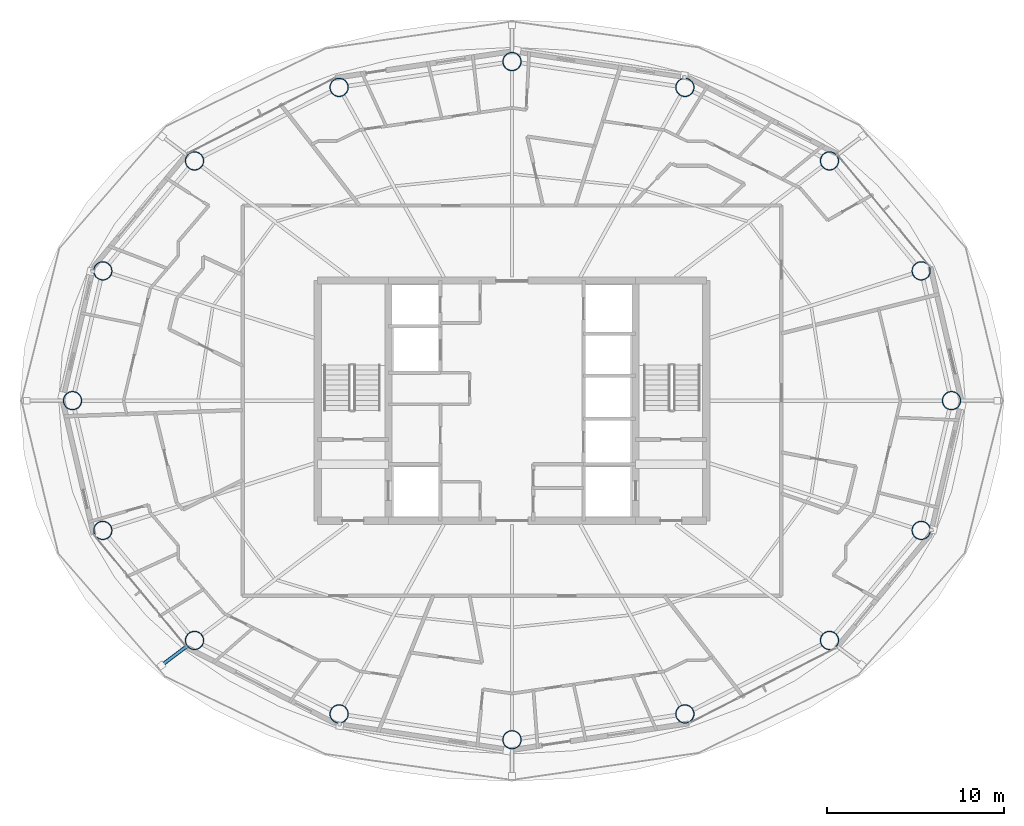
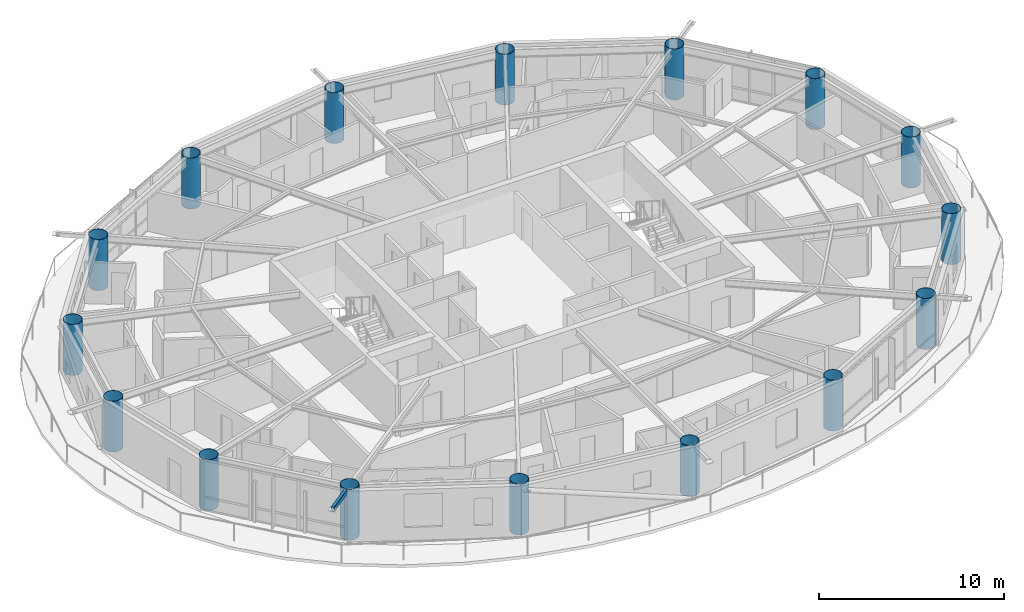
# One storey, part 1 of 23: 16 columns, 1 member.
"""IFC4 building model written with IfcOpenShell, lengths in metres."""

from ifc_helpers import new_model, si_unit, direction, frame, origin, origin_2d, place, context, subcontext, project, spatial, hollow_rectangle, hollow_circle, extrude, material, material_profile, profile_set, type_object, element, save


model = new_model("IFC4")

# Units and contexts
model_context = context("Model", 3, precision=1e-05, world=origin(), true_north=direction((0.0, 1.0)))
body_context = subcontext(model_context, "Body", "Model", "MODEL_VIEW")
ifc_project = project(units=[si_unit("LENGTHUNIT", "METRE"), si_unit("AREAUNIT", "SQUARE_METRE"), si_unit("VOLUMEUNIT", "CUBIC_METRE"), si_unit("PLANEANGLEUNIT", "RADIAN"), si_unit("MASSUNIT", "GRAM", prefix="KILO")], contexts=[model_context])

# Site, building, storey
site_placement = place(None, origin())
site = spatial("IfcSite", under=ifc_project, at=site_placement, CompositionType="ELEMENT")
building_placement = place(site_placement, origin())
building = spatial("IfcBuilding", under=site, at=building_placement, Name="Sarneth Arch Tower", CompositionType="ELEMENT")
storey_placement = place(building_placement, frame((0.0, 0.0, 238.800048828125)))
storey = spatial("IfcBuildingStorey", under=building, at=storey_placement, Name="L61", CompositionType="ELEMENT", Elevation=238.800048828125)

# Columns
ifc_material_1 = material(Name="Steel S355", Category="steel")
ifc_material_profile_1 = material_profile(ifc_material_1, hollow_circle(Radius=0.52490234375, WallThickness=0.028076171875, at=origin_2d()), Name="CHS1050x28")
ifc_profile_set_1 = profile_set([ifc_material_profile_1], Name="Steel S355")
column_type = type_object("IfcColumnType", Name="COL-MEGA-1050", PredefinedType="COLUMN", material=ifc_profile_set_1)
for number, where, z_axis, x_axis, name in (
    (1, (72.88330078125, 42.0, 0.0), (0.0, 0.0, 1.0), (1.0, 0.0, 0.0), "L61 Perimeter mega-column M01"),
    (2, (71.1689453125, 49.347412109375, 0.0), (0.0, 0.0, 1.0), (1.0, 0.0, 0.0), "L61 Perimeter mega-column M02"),
    (3, (65.975341796875, 55.576416015625, 0.0), (0.0, 0.0, 1.0), (1.0, 0.0, 0.0), "L61 Perimeter mega-column M03"),
    (4, (57.790771484375, 59.738525390625, 0.0), (0.0, 0.0, 1.0), (1.0, 0.0, 0.0), "L61 Perimeter mega-column M04"),
    (5, (48.0, 61.199951171875, 0.0), (0.0, 0.0, 1.0), (1.0, 0.0, 0.0), "L61 Perimeter mega-column M05"),
    (6, (38.209228515625, 59.738525390625, 0.0), (0.0, 0.0, 1.0), (1.0, 0.0, 0.0), "L61 Perimeter mega-column M06"),
    (7, (30.024658203125, 55.576416015625, 0.0), (0.0, 0.0, 1.0), (1.0, 0.0, 0.0), "L61 Perimeter mega-column M07"),
    (8, (24.8310546875, 49.347412109375, 0.0), (0.0, 0.0, 1.0), (1.0, 0.0, 0.0), "L61 Perimeter mega-column M08"),
    (9, (23.11669921875, 42.0, 0.0), (0.0, 0.0, 1.0), (1.0, 0.0, 0.0), "L61 Perimeter mega-column M09"),
    (10, (24.8310546875, 34.652587890625, 0.0), (0.0, 0.0, 1.0), (1.0, 0.0, 0.0), "L61 Perimeter mega-column M10"),
    (11, (30.024658203125, 28.423583984375, 0.0), (0.0, 0.0, 1.0), (1.0, 0.0, 0.0), "L61 Perimeter mega-column M11"),
    (12, (38.209228515625, 24.261474609375, 0.0), (0.0, 0.0, 1.0), (1.0, 0.0, 0.0), "L61 Perimeter mega-column M12"),
    (13, (48.0, 22.800048828125, 0.0), (0.0, 0.0, 1.0), (1.0, 0.0, 0.0), "L61 Perimeter mega-column M13"),
    (14, (57.790771484375, 24.261474609375, 0.0), (0.0, 0.0, 1.0), (1.0, 0.0, 0.0), "L61 Perimeter mega-column M14"),
    (15, (65.975341796875, 28.423583984375, 0.0), (0.0, 0.0, 1.0), (1.0, 0.0, 0.0), "L61 Perimeter mega-column M15"),
    (16, (71.1689453125, 34.652587890625, 0.0), (0.0, 0.0, 1.0), (1.0, 0.0, 0.0), "L61 Perimeter mega-column M16"),
):
    element("IfcColumn", number, at=place(storey_placement, frame(where, z_axis=z_axis, x_axis=x_axis)), inside=storey, type_object=column_type, Name=name, PredefinedType="COLUMN", context=body_context, shape_type="SweptSolid", body=[
        extrude(hollow_circle(Radius=0.52490234375, WallThickness=0.028076171875, at=origin_2d()), origin(), (0.0, 0.0, 1.0), 3.35986328125),
    ])

# Member
ifc_material_2 = material(Name="Steel S355", Category="steel")
ifc_material_profile_2 = material_profile(ifc_material_2, hollow_rectangle(XDim=0.199951171875, YDim=0.300048828125, WallThickness=0.012451171875, InnerFilletRadius=0.018798828125, OuterFilletRadius=0.03125, at=origin_2d()), Name="RHS300x200x12.5")
ifc_profile_set_2 = profile_set([ifc_material_profile_2], Name="Steel S355")
member_type = type_object("IfcMemberType", Name="MEM-CANT-STRUT", PredefinedType="STRUT", material=ifc_profile_set_2)
member_placement = place(storey_placement, frame((29.60595703125, 28.107177734375, 3.199951171875), z_axis=(-0.79797717091, -0.602687675921, 0.0), x_axis=(0.602687675921, -0.79797717091, 0.0)))
element("IfcMember", 17, at=member_placement, inside=storey, type_object=member_type, Name="L61 Balcony cantilever bracket 11", PredefinedType="STRUT", context=body_context, shape_type="SweptSolid", body=[
    extrude(hollow_rectangle(XDim=0.199951171875, YDim=0.300048828125, WallThickness=0.012451171875, InnerFilletRadius=0.018798828125, OuterFilletRadius=0.03125, at=origin_2d()), origin(), (0.0, 0.0, 1.0), 1.828857421875),
])

save(model, "model.ifc")
